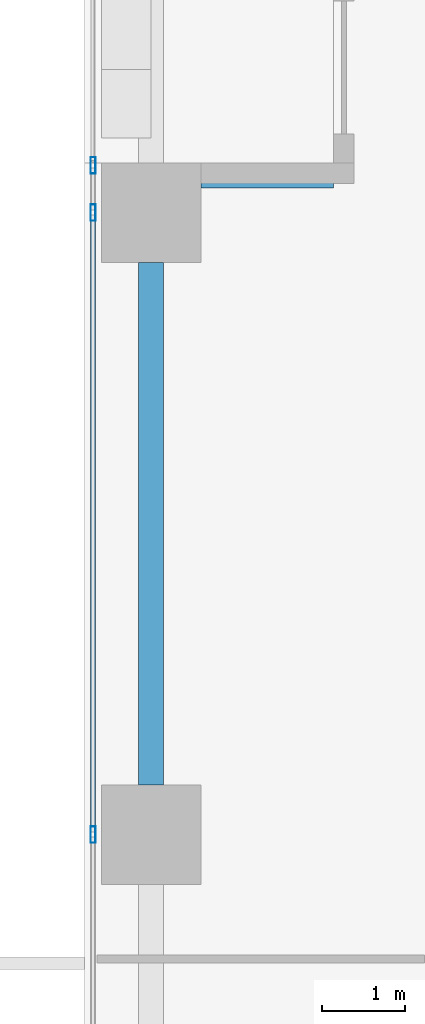
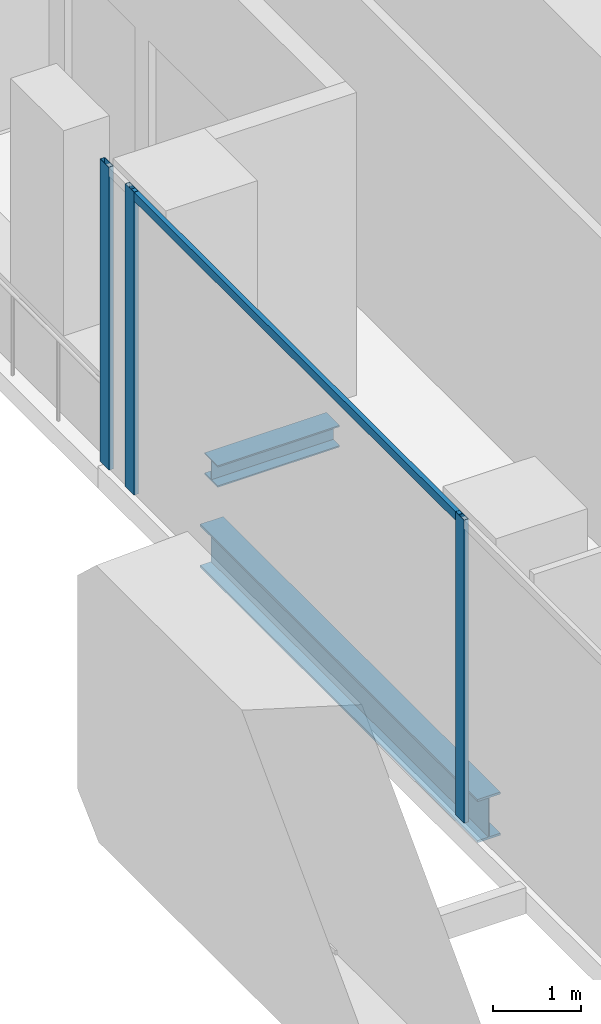
# One storey, part 5 of 35: 4 members, 2 beams, 1 element without a shape of its own.
"""IFC4 building model written with IfcOpenShell, lengths in metres."""

from ifc_helpers import new_model, si_unit, direction, frame, origin, origin_2d, place, context, subcontext, project, spatial, hollow_rectangle, i_section, extrude, source, transform, mapped, material, material_profile, profile_set, type_object, element, aggregate, save


model = new_model("IFC4")

# Units and contexts
model_context = context("Model", 3, precision=1e-05, world=origin(), true_north=direction((0.0, 1.0)))
body_context = subcontext(model_context, "Body", "Model", "MODEL_VIEW")
ifc_project = project(units=[si_unit("LENGTHUNIT", "METRE"), si_unit("AREAUNIT", "SQUARE_METRE"), si_unit("VOLUMEUNIT", "CUBIC_METRE"), si_unit("PLANEANGLEUNIT", "RADIAN"), si_unit("MASSUNIT", "GRAM", prefix="KILO")], contexts=[model_context])

# Site, building, storey
site_placement = place(None, origin())
site = spatial("IfcSite", under=ifc_project, at=site_placement, CompositionType="ELEMENT")
building_placement = place(site_placement, origin())
building = spatial("IfcBuilding", under=site, at=building_placement, Name="Khomas Fold Tower", CompositionType="ELEMENT")
storey_placement = place(building_placement, frame((0.0, 0.0, 69.0)))
storey = spatial("IfcBuildingStorey", under=building, at=storey_placement, Name="L14", CompositionType="ELEMENT", Elevation=69.0)

# Beams
ifc_material_1 = material(Name="Steel S355", Category="steel")
ifc_material_profile_1 = material_profile(ifc_material_1, i_section(OverallWidth=0.300048828125, OverallDepth=0.60009765625, WebThickness=0.015380859375, FlangeThickness=0.030029296875, at=origin_2d()), Name="HE 600 B")
ifc_profile_set_1 = profile_set([ifc_material_profile_1], Name="Steel S355")
beam_type_1 = type_object("IfcBeamType", Name="HE 600 B spandrel SB1", PredefinedType="SPANDREL", material=ifc_profile_set_1)
shared_shape_1 = source(origin(), body_context, "Body", "SweptSolid", [
    extrude(i_section(OverallWidth=0.300048828125, OverallDepth=0.60009765625, WebThickness=0.015380859375, FlangeThickness=0.030029296875, at=origin_2d()), origin(), (0.0, 0.0, 1.0), 6.2998046875),
])
beam_1_placement = place(storey_placement, frame((0.800048828125, 20.10009765625, -0.60009765625), z_axis=(0.0, 1.0, 0.0), x_axis=(-1.0, 0.0, 0.0)))
element("IfcBeam", 1, at=beam_1_placement, inside=storey, type_object=beam_type_1, Name="SB1", PredefinedType="SPANDREL", context=body_context, shape_type="MappedRepresentation", body=[
    mapped(shared_shape_1, transform((0.0, 0.0, 0.0))),
])
ifc_material_2 = material(Name="Steel S355", Category="steel")
ifc_material_profile_2 = material_profile(ifc_material_2, i_section(OverallWidth=0.300048828125, OverallDepth=0.300048828125, WebThickness=0.010986328125, FlangeThickness=0.01904296875, at=origin_2d()), Name="HE 300 B")
ifc_profile_set_2 = profile_set([ifc_material_profile_2], Name="Steel S355")
beam_type_2 = type_object("IfcBeamType", Name="HE 300 B beam BB1", PredefinedType="BEAM", material=ifc_profile_set_2)
shared_shape_2 = source(origin(), body_context, "Body", "SweptSolid", [
    extrude(i_section(OverallWidth=0.300048828125, OverallDepth=0.300048828125, WebThickness=0.010986328125, FlangeThickness=0.01904296875, at=origin_2d()), origin(), (0.0, 0.0, 1.0), 1.60009765625),
])
beam_2_placement = place(storey_placement, frame((1.39990234375, 27.449951171875, -0.449951171875), z_axis=(1.0, 0.0, 0.0), x_axis=(0.0, 1.0, 0.0)))
element("IfcBeam", 2, at=beam_2_placement, inside=storey, type_object=beam_type_2, Name="BB1", PredefinedType="BEAM", context=body_context, shape_type="MappedRepresentation", body=[
    mapped(shared_shape_2, transform((0.0, 0.0, 0.0))),
])

# Curtain wall, members
ifc_material_3 = material(Name="Aluminium framed double glazing", Category="aluminium")
curtain_wall_type = type_object("IfcCurtainWallType", Name="SK-Unitised clear-glass wall, growing floors CW1", PredefinedType="NOTDEFINED", material=ifc_material_3)
curtain_wall_placement = place(storey_placement, origin())
curtain_wall = element("IfcCurtainWall", 3, at=curtain_wall_placement, inside=storey, type_object=curtain_wall_type, Name="CW1 run L14 09-1", PredefinedType="NOTDEFINED")
ifc_material_4 = material(Name="Aluminium", Category="aluminium")
ifc_material_profile_3 = material_profile(ifc_material_4, hollow_rectangle(XDim=0.06005859375, YDim=0.1201171875, WallThickness=0.00390625, at=origin_2d()), Name="SK-Unitised clear-glass wall, growing floors transom CW1-T")
ifc_profile_set_3 = profile_set([ifc_material_profile_3], Name="Aluminium")
member_type_1 = type_object("IfcMemberType", Name="SK-Unitised clear-glass wall, growing floors transom CW1-T", PredefinedType="USERDEFINED", material=ifc_profile_set_3)
shared_shape_3 = source(origin(), body_context, "Body", "SweptSolid", [
    extrude(hollow_rectangle(XDim=0.06005859375, YDim=0.1201171875, WallThickness=0.00390625, at=origin_2d()), origin(), (0.0, 0.0, 1.0), 7.43994140625),
])
member_1_placement = place(storey_placement, frame((0.10009765625, 26.969970703125, 4.139892578125), z_axis=(0.0, -1.0, 0.0), x_axis=(1.0, 0.0, 0.0)))
member_1 = element("IfcMember", 4, at=member_1_placement, type_object=member_type_1, Name="CW1 transom 2", ObjectType="TRANSOM", PredefinedType="USERDEFINED", context=body_context, shape_type="MappedRepresentation", body=[
    mapped(shared_shape_3, transform((0.0, 0.0, 0.0))),
])
ifc_material_5 = material(Name="Aluminium", Category="aluminium")
ifc_material_profile_4 = material_profile(ifc_material_5, hollow_rectangle(XDim=0.06005859375, YDim=0.199951171875, WallThickness=0.00390625, at=origin_2d()), Name="SK-Unitised clear-glass wall, growing floors mullion CW1-M")
ifc_profile_set_4 = profile_set([ifc_material_profile_4], Name="Aluminium")
member_type_2 = type_object("IfcMemberType", Name="SK-Unitised clear-glass wall, growing floors mullion CW1-M", PredefinedType="MULLION", material=ifc_profile_set_4)
shared_shape_4 = source(origin(), body_context, "Body", "SweptSolid", [
    extrude(hollow_rectangle(XDim=0.06005859375, YDim=0.199951171875, WallThickness=0.00390625, at=origin_2d()), origin(), (0.0, 0.0, 1.0), 4.199951171875),
])
member_2_placement = place(storey_placement, frame((0.10009765625, 27.570068359375, 0.0), z_axis=(0.0, 0.0, 1.0), x_axis=(1.0, 0.0, 0.0)))
member_2 = element("IfcMember", 5, at=member_2_placement, type_object=member_type_2, Name="CW1 mullion 1", PredefinedType="MULLION", context=body_context, shape_type="MappedRepresentation", body=[
    mapped(shared_shape_4, transform((0.0, 0.0, 0.0))),
])
member_3_placement = place(storey_placement, frame((0.10009765625, 27.0, 0.0), z_axis=(0.0, 0.0, 1.0), x_axis=(1.0, 0.0, 0.0)))
member_3 = element("IfcMember", 6, at=member_3_placement, type_object=member_type_2, Name="CW1 mullion 2", PredefinedType="MULLION", context=body_context, shape_type="MappedRepresentation", body=[
    mapped(shared_shape_4, transform((0.0, 0.0, 0.0))),
])
member_4_placement = place(storey_placement, frame((0.10009765625, 19.5, 0.0), z_axis=(0.0, 0.0, 1.0), x_axis=(1.0, 0.0, 0.0)))
member_4 = element("IfcMember", 7, at=member_4_placement, type_object=member_type_2, Name="CW1 mullion 3", PredefinedType="MULLION", context=body_context, shape_type="MappedRepresentation", body=[
    mapped(shared_shape_4, transform((0.0, 0.0, 0.0))),
])
aggregate(curtain_wall, [member_2, member_3, member_4, member_1])

save(model, "model.ifc")
